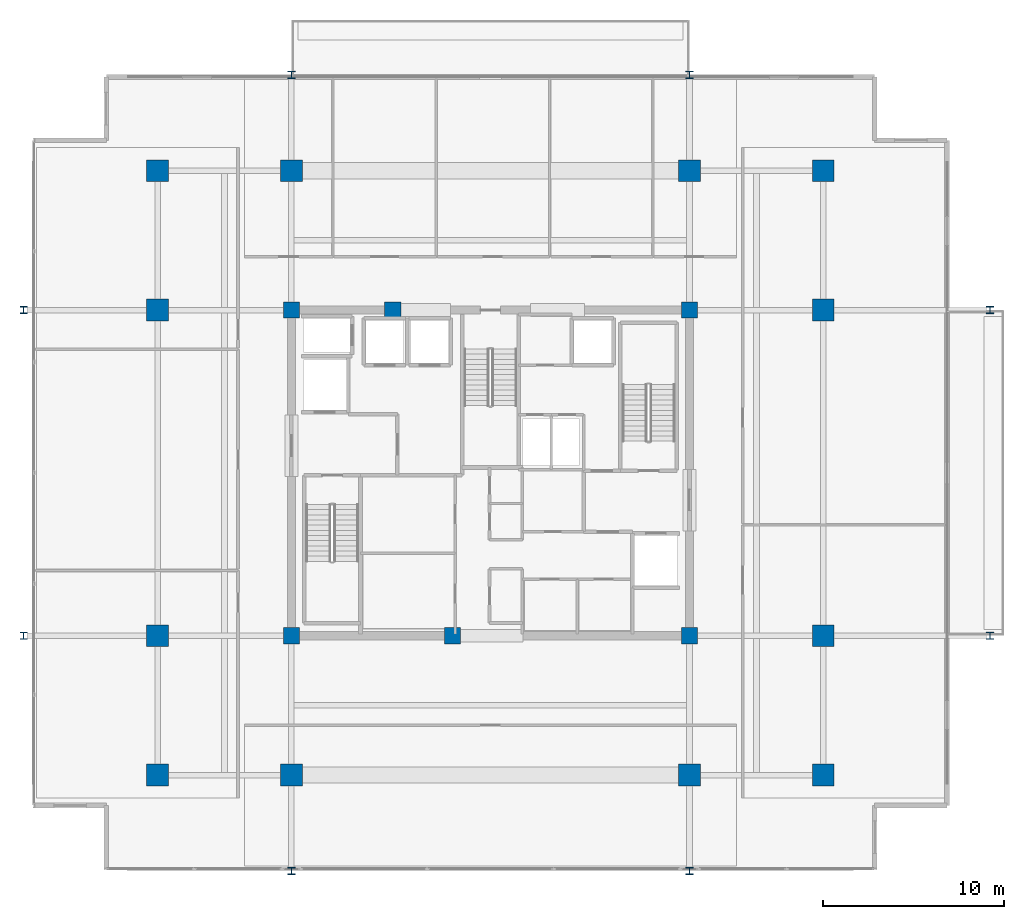
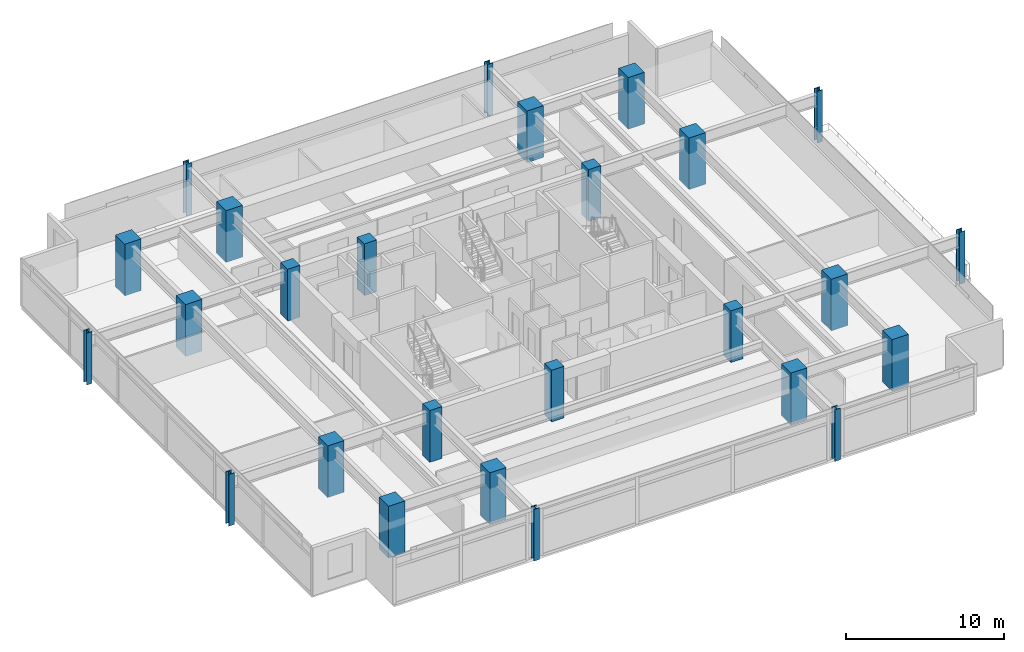
# One storey, part 1 of 20: 26 columns.
"""IFC4 building model written with IfcOpenShell, lengths in metres."""

from ifc_helpers import new_model, si_unit, direction, frame, origin, origin_2d, place, context, subcontext, project, spatial, rectangle, i_section, extrude, material, material_profile, profile_set, type_object, element, save


model = new_model("IFC4")

# Units and contexts
model_context = context("Model", 3, precision=1e-05, world=origin(), true_north=direction((0.0, 1.0)))
body_context = subcontext(model_context, "Body", "Model", "MODEL_VIEW")
ifc_project = project(units=[si_unit("LENGTHUNIT", "METRE"), si_unit("AREAUNIT", "SQUARE_METRE"), si_unit("VOLUMEUNIT", "CUBIC_METRE"), si_unit("PLANEANGLEUNIT", "RADIAN"), si_unit("MASSUNIT", "GRAM", prefix="KILO")], contexts=[model_context])

# Site, building, storey
site_placement = place(None, origin())
site = spatial("IfcSite", under=ifc_project, at=site_placement, CompositionType="ELEMENT")
building_placement = place(site_placement, origin())
building = spatial("IfcBuilding", under=site, at=building_placement, Name="Kovane Verandah Tower", CompositionType="ELEMENT")
storey_placement = place(building_placement, frame((0.0, 0.0, 291.199951171875)))
storey = spatial("IfcBuildingStorey", under=building, at=storey_placement, Name="L68", CompositionType="ELEMENT", Elevation=291.199951171875)

# Columns
ifc_material_1 = material(Name="Concrete C60/75", Category="concrete")
ifc_material_profile_1 = material_profile(ifc_material_1, rectangle(XDim=1.199951171875, YDim=1.199951171875, at=origin_2d()), Name="RC1200x1200")
ifc_profile_set_1 = profile_set([ifc_material_profile_1], Name="Concrete C60/75")
column_type_1 = type_object("IfcColumnType", Name="COL-RC1200", PredefinedType="COLUMN", material=ifc_profile_set_1)
for number, where, z_axis, x_axis, name in (
    (1, (29.0, 10.800048828125, 0.0), (0.0, 0.0, 1.0), (1.0, 0.0, 0.0), "L68 Tower Mega-Column MC-S1"),
    (2, (51.0, 10.800048828125, 0.0), (0.0, 0.0, 1.0), (1.0, 0.0, 0.0), "L68 Tower Mega-Column MC-S2"),
    (3, (29.0, 44.199951171875, 0.0), (0.0, 0.0, 1.0), (1.0, 0.0, 0.0), "L68 Tower Mega-Column MC-N1"),
    (4, (51.0, 44.199951171875, 0.0), (0.0, 0.0, 1.0), (1.0, 0.0, 0.0), "L68 Tower Mega-Column MC-N2"),
    (5, (21.60009765625, 18.5, 0.0), (0.0, 0.0, 1.0), (1.0, 0.0, 0.0), "L68 Tower Mega-Column MC-W1"),
    (6, (21.60009765625, 36.5, 0.0), (0.0, 0.0, 1.0), (1.0, 0.0, 0.0), "L68 Tower Mega-Column MC-W2"),
    (7, (58.39990234375, 18.5, 0.0), (0.0, 0.0, 1.0), (1.0, 0.0, 0.0), "L68 Tower Mega-Column MC-E1"),
    (8, (58.39990234375, 36.5, 0.0), (0.0, 0.0, 1.0), (1.0, 0.0, 0.0), "L68 Tower Mega-Column MC-E2"),
    (9, (21.60009765625, 10.800048828125, 0.0), (0.0, 0.0, 1.0), (1.0, 0.0, 0.0), "L68 Tower Mega-Column MC-SW"),
    (10, (58.39990234375, 10.800048828125, 0.0), (0.0, 0.0, 1.0), (1.0, 0.0, 0.0), "L68 Tower Mega-Column MC-SE"),
    (11, (21.60009765625, 44.199951171875, 0.0), (0.0, 0.0, 1.0), (1.0, 0.0, 0.0), "L68 Tower Mega-Column MC-NW"),
    (12, (58.39990234375, 44.199951171875, 0.0), (0.0, 0.0, 1.0), (1.0, 0.0, 0.0), "L68 Tower Mega-Column MC-NE"),
):
    element("IfcColumn", number, at=place(storey_placement, frame(where, z_axis=z_axis, x_axis=x_axis)), inside=storey, type_object=column_type_1, Name=name, PredefinedType="COLUMN", context=body_context, shape_type="SweptSolid", body=[
        extrude(rectangle(XDim=1.199951171875, YDim=1.199951171875, at=origin_2d()), origin(), (0.0, 0.0, 1.0), 4.0),
    ])
ifc_material_2 = material(Name="Steel S460", Category="steel")
ifc_material_profile_2 = material_profile(ifc_material_2, i_section(OverallWidth=0.403076171875, OverallDepth=0.406494140625, WebThickness=0.026611328125, FlangeThickness=0.04296875, FilletRadius=0.01513671875, at=origin_2d()), Name="UC356x406x340")
ifc_profile_set_2 = profile_set([ifc_material_profile_2], Name="Steel S460")
column_type_2 = type_object("IfcColumnType", Name="COL-UC340", PredefinedType="COLUMN", material=ifc_profile_set_2)
for number, where, z_axis, x_axis, name in (
    (13, (14.199951171875, 18.5, 0.0), (0.0, 0.0, 1.0), (1.0, 0.0, 0.0), "L68 Verandah Perimeter Column VC-W1"),
    (14, (14.199951171875, 36.5, 0.0), (0.0, 0.0, 1.0), (1.0, 0.0, 0.0), "L68 Verandah Perimeter Column VC-W2"),
    (15, (67.60009765625, 18.5, 0.0), (0.0, 0.0, 1.0), (1.0, 0.0, 0.0), "L68 Verandah Perimeter Column VC-E1"),
    (16, (67.60009765625, 36.5, 0.0), (0.0, 0.0, 1.0), (1.0, 0.0, 0.0), "L68 Verandah Perimeter Column VC-E2"),
    (17, (29.0, 5.5, 0.0), (0.0, 0.0, 1.0), (1.0, 0.0, 0.0), "L68 Verandah Perimeter Column VC-S1"),
    (18, (51.0, 5.5, 0.0), (0.0, 0.0, 1.0), (1.0, 0.0, 0.0), "L68 Verandah Perimeter Column VC-S2"),
    (19, (29.0, 49.5, 0.0), (0.0, 0.0, 1.0), (1.0, 0.0, 0.0), "L68 Verandah Perimeter Column VC-N1"),
    (20, (51.0, 49.5, 0.0), (0.0, 0.0, 1.0), (1.0, 0.0, 0.0), "L68 Verandah Perimeter Column VC-N2"),
):
    element("IfcColumn", number, at=place(storey_placement, frame(where, z_axis=z_axis, x_axis=x_axis)), inside=storey, type_object=column_type_2, Name=name, PredefinedType="COLUMN", context=body_context, shape_type="SweptSolid", body=[
        extrude(i_section(OverallWidth=0.403076171875, OverallDepth=0.406494140625, WebThickness=0.026611328125, FlangeThickness=0.04296875, FilletRadius=0.01513671875, at=origin_2d()), origin(), (0.0, 0.0, 1.0), 4.0),
    ])
ifc_material_profile_3 = material_profile(ifc_material_1, rectangle(XDim=0.89990234375, YDim=0.89990234375, at=origin_2d()), Name="RC900x900")
ifc_profile_set_3 = profile_set([ifc_material_profile_3], Name="Concrete C60/75")
column_type_3 = type_object("IfcColumnType", Name="PIL-RC900", PredefinedType="PILASTER", material=ifc_profile_set_3)
for number, where, z_axis, x_axis, name in (
    (21, (29.0, 18.5, 0.0), (0.0, 0.0, 1.0), (1.0, 0.0, 0.0), "L68 Core Pilaster CP-SW"),
    (22, (51.0, 18.5, 0.0), (0.0, 0.0, 1.0), (1.0, 0.0, 0.0), "L68 Core Pilaster CP-SE"),
    (23, (29.0, 36.5, 0.0), (0.0, 0.0, 1.0), (1.0, 0.0, 0.0), "L68 Core Pilaster CP-NW"),
    (24, (51.0, 36.5, 0.0), (0.0, 0.0, 1.0), (1.0, 0.0, 0.0), "L68 Core Pilaster CP-NE"),
    (25, (37.89990234375, 18.5, 0.0), (0.0, 0.0, 1.0), (1.0, 0.0, 0.0), "L68 Core Pilaster CP-S"),
    (26, (34.60009765625, 36.5, 0.0), (0.0, 0.0, 1.0), (1.0, 0.0, 0.0), "L68 Core Pilaster CP-N"),
):
    element("IfcColumn", number, at=place(storey_placement, frame(where, z_axis=z_axis, x_axis=x_axis)), inside=storey, type_object=column_type_3, Name=name, PredefinedType="PILASTER", context=body_context, shape_type="SweptSolid", body=[
        extrude(rectangle(XDim=0.89990234375, YDim=0.89990234375, at=origin_2d()), origin(), (0.0, 0.0, 1.0), 4.0),
    ])

save(model, "model.ifc")
